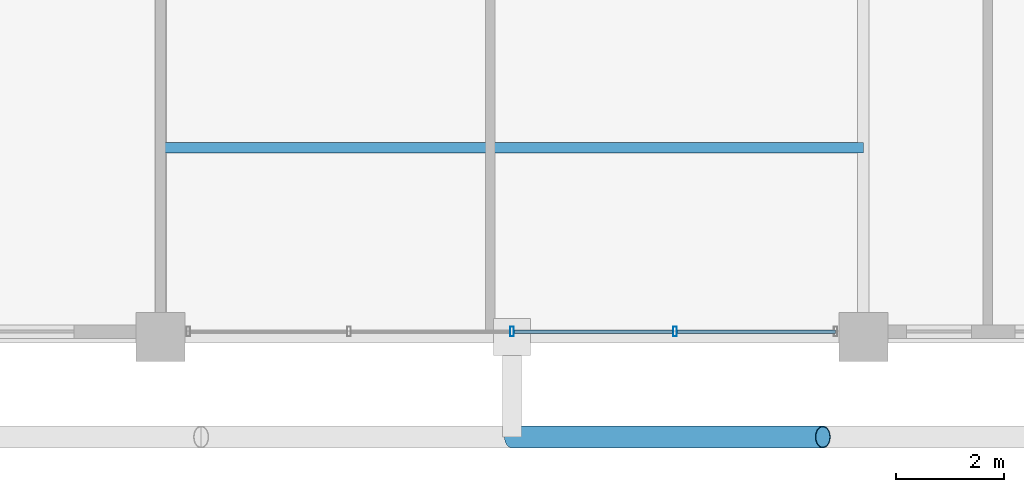
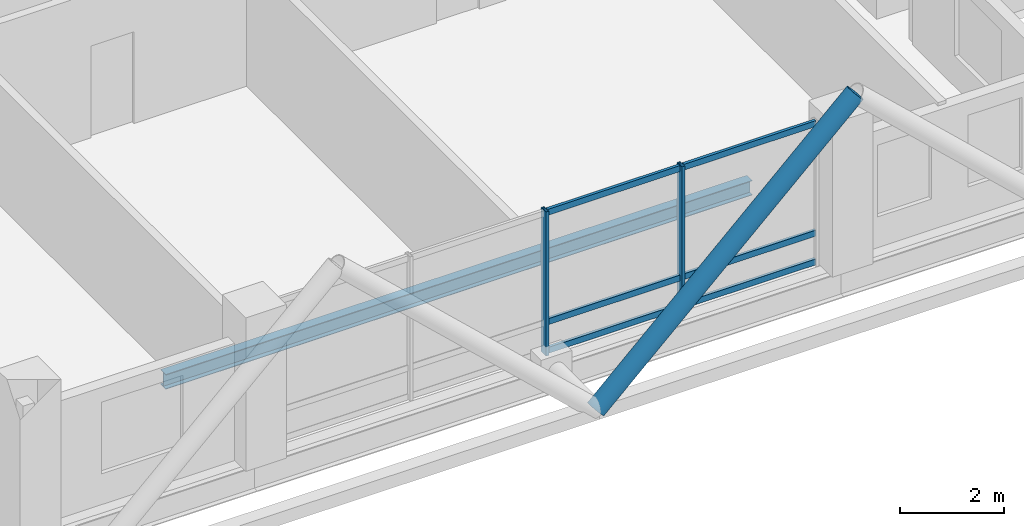
# One storey, part 5 of 24: 9 members, 1 beam, 1 element without a shape of its own.
"""IFC4 building model written with IfcOpenShell, lengths in metres."""

from ifc_helpers import new_model, si_unit, direction, frame, origin, origin_2d, place, context, subcontext, project, spatial, hollow_rectangle, hollow_circle, i_section, extrude, material, layer, layer_set, material_profile, profile_set, type_object, element, aggregate, save


model = new_model("IFC4")

# Units and contexts
model_context = context("Model", 3, precision=1e-05, world=origin(), true_north=direction((0.0, 1.0)))
body_context = subcontext(model_context, "Body", "Model", "MODEL_VIEW")
ifc_project = project(units=[si_unit("LENGTHUNIT", "METRE"), si_unit("AREAUNIT", "SQUARE_METRE"), si_unit("VOLUMEUNIT", "CUBIC_METRE"), si_unit("PLANEANGLEUNIT", "RADIAN"), si_unit("MASSUNIT", "GRAM", prefix="KILO")], contexts=[model_context])

# Site, building, storey
site_placement = place(None, origin())
site = spatial("IfcSite", under=ifc_project, at=site_placement, CompositionType="ELEMENT")
building_placement = place(site_placement, origin())
building = spatial("IfcBuilding", under=site, at=building_placement, Name="Barlavira Tower and Art Museum", CompositionType="ELEMENT")
storey_placement = place(building_placement, frame((0.0, 0.0, 283.5)))
storey = spatial("IfcBuildingStorey", under=building, at=storey_placement, Name="L74", CompositionType="ELEMENT", Elevation=283.5)

# Curtain wall, members
ifc_material_1 = material(Name="Low-iron coastal laminated glass", Category="glass")
ifc_layer = layer(ifc_material_1, 0.2099609375, Name="Low-iron coastal laminated glass")
ifc_layer_set = layer_set([ifc_layer], Name="Low-iron coastal laminated glass")
curtain_wall_type = type_object("IfcCurtainWallType", Name="Pale-Metal Unitised Curtain Wall Zone 4", PredefinedType="NOTDEFINED", material=ifc_layer_set)
curtain_wall_placement = place(storey_placement, origin())
curtain_wall = element("IfcCurtainWall", 1, at=curtain_wall_placement, inside=storey, type_object=curtain_wall_type, Name="L74 Curtain Wall CW4-L74-S-B2", PredefinedType="NOTDEFINED")
ifc_material_2 = material(Name="Pale anodised aluminium", Category="aluminium")
ifc_material_profile_1 = material_profile(ifc_material_2, hollow_rectangle(XDim=0.06494140625, YDim=0.179931640625, WallThickness=0.00390625, at=origin_2d()), Name="ALU-MULL 65x180x4")
ifc_profile_set_1 = profile_set([ifc_material_profile_1], Name="Pale anodised aluminium")
member_type_1 = type_object("IfcMemberType", Name="Curtain Wall Pale-Metal Mullion 65x180", PredefinedType="MULLION", material=ifc_profile_set_1)
member_1_placement = place(storey_placement, frame((0.0, -19.89990234375, 0.0), z_axis=(0.0, 0.0, 1.0), x_axis=(1.0, 0.0, 0.0)))
member_1 = element("IfcMember", 2, at=member_1_placement, type_object=member_type_1, Name="CW4-L74-S-B2 Mullion 2", PredefinedType="MULLION", context=body_context, shape_type="SweptSolid", body=[
    extrude(hollow_rectangle(XDim=0.06494140625, YDim=0.179931640625, WallThickness=0.00390625, at=origin_2d()), origin(), (0.0, 0.0, 1.0), 3.3798828125),
])
member_2_placement = place(storey_placement, frame((3.014892578125, -19.89990234375, 0.0), z_axis=(0.0, 0.0, 1.0), x_axis=(1.0, 0.0, 0.0)))
member_2 = element("IfcMember", 3, at=member_2_placement, type_object=member_type_1, Name="CW4-L74-S-B2 Mullion 3", PredefinedType="MULLION", context=body_context, shape_type="SweptSolid", body=[
    extrude(hollow_rectangle(XDim=0.06494140625, YDim=0.179931640625, WallThickness=0.00390625, at=origin_2d()), origin(), (0.0, 0.0, 1.0), 3.3798828125),
])
ifc_material_profile_2 = material_profile(ifc_material_2, hollow_rectangle(XDim=0.06494140625, YDim=0.139892578125, WallThickness=0.00390625, at=origin_2d()), Name="ALU-TRAN 65x140x4")
ifc_profile_set_2 = profile_set([ifc_material_profile_2], Name="Pale anodised aluminium")
member_type_2 = type_object("IfcMemberType", Name="Curtain Wall Pale-Metal Transom 65x140", PredefinedType="USERDEFINED", material=ifc_profile_set_2)
member_3_placement = place(storey_placement, frame((0.044921875, -19.89990234375, 0.070068359375), z_axis=(1.0, 0.0, 0.0), x_axis=(0.0, 1.0, 0.0)))
member_3 = element("IfcMember", 4, at=member_3_placement, type_object=member_type_2, Name="CW4-L74-S-B2 Transom 2.1", ObjectType="TRANSOM", PredefinedType="USERDEFINED", context=body_context, shape_type="SweptSolid", body=[
    extrude(hollow_rectangle(XDim=0.06494140625, YDim=0.139892578125, WallThickness=0.00390625, at=origin_2d()), origin(), (0.0, 0.0, 1.0), 2.925048828125),
])
member_4_placement = place(storey_placement, frame((0.044921875, -19.89990234375, 0.743896484375), z_axis=(1.0, 0.0, 0.0), x_axis=(0.0, 1.0, 0.0)))
member_4 = element("IfcMember", 5, at=member_4_placement, type_object=member_type_2, Name="CW4-L74-S-B2 Transom 2.2", ObjectType="TRANSOM", PredefinedType="USERDEFINED", context=body_context, shape_type="SweptSolid", body=[
    extrude(hollow_rectangle(XDim=0.06494140625, YDim=0.139892578125, WallThickness=0.00390625, at=origin_2d()), origin(), (0.0, 0.0, 1.0), 2.925048828125),
])
member_5_placement = place(storey_placement, frame((0.044921875, -19.89990234375, 3.31005859375), z_axis=(1.0, 0.0, 0.0), x_axis=(0.0, 1.0, 0.0)))
member_5 = element("IfcMember", 6, at=member_5_placement, type_object=member_type_2, Name="CW4-L74-S-B2 Transom 2.3", ObjectType="TRANSOM", PredefinedType="USERDEFINED", context=body_context, shape_type="SweptSolid", body=[
    extrude(hollow_rectangle(XDim=0.06494140625, YDim=0.139892578125, WallThickness=0.00390625, at=origin_2d()), origin(), (0.0, 0.0, 1.0), 2.925048828125),
])
member_6_placement = place(storey_placement, frame((3.06005859375, -19.89990234375, 0.070068359375), z_axis=(1.0, 0.0, 0.0), x_axis=(0.0, 1.0, 0.0)))
member_6 = element("IfcMember", 7, at=member_6_placement, type_object=member_type_2, Name="CW4-L74-S-B2 Transom 3.1", ObjectType="TRANSOM", PredefinedType="USERDEFINED", context=body_context, shape_type="SweptSolid", body=[
    extrude(hollow_rectangle(XDim=0.06494140625, YDim=0.139892578125, WallThickness=0.00390625, at=origin_2d()), origin(), (0.0, 0.0, 1.0), 2.925048828125),
])
member_7_placement = place(storey_placement, frame((3.06005859375, -19.89990234375, 0.743896484375), z_axis=(1.0, 0.0, 0.0), x_axis=(0.0, 1.0, 0.0)))
member_7 = element("IfcMember", 8, at=member_7_placement, type_object=member_type_2, Name="CW4-L74-S-B2 Transom 3.2", ObjectType="TRANSOM", PredefinedType="USERDEFINED", context=body_context, shape_type="SweptSolid", body=[
    extrude(hollow_rectangle(XDim=0.06494140625, YDim=0.139892578125, WallThickness=0.00390625, at=origin_2d()), origin(), (0.0, 0.0, 1.0), 2.925048828125),
])
member_8_placement = place(storey_placement, frame((3.06005859375, -19.89990234375, 3.31005859375), z_axis=(1.0, 0.0, 0.0), x_axis=(0.0, 1.0, 0.0)))
member_8 = element("IfcMember", 9, at=member_8_placement, type_object=member_type_2, Name="CW4-L74-S-B2 Transom 3.3", ObjectType="TRANSOM", PredefinedType="USERDEFINED", context=body_context, shape_type="SweptSolid", body=[
    extrude(hollow_rectangle(XDim=0.06494140625, YDim=0.139892578125, WallThickness=0.00390625, at=origin_2d()), origin(), (0.0, 0.0, 1.0), 2.925048828125),
])
aggregate(curtain_wall, [member_1, member_2, member_3, member_4, member_5, member_6, member_7, member_8])

# Member
ifc_material_3 = material(Name="Steel S355", Category="steel")
ifc_material_profile_3 = material_profile(ifc_material_3, hollow_circle(Radius=0.203125, WallThickness=0.01611328125, at=origin_2d()), Name="CHS 406.4x16.0")
ifc_profile_set_3 = profile_set([ifc_material_profile_3], Name="Steel S355")
member_type_3 = type_object("IfcMemberType", Name="Pale-Metal Exoskeleton Diagrid Tube CHS 406x16 Steel S355", PredefinedType="BRACE", material=ifc_profile_set_3)
member_9_placement = place(storey_placement, frame((0.0, -21.85009765625, -0.1201171875), z_axis=(0.728934650808, 0.0, 0.684583285548), x_axis=(0.0, 1.0, 0.0)))
element("IfcMember", 10, at=member_9_placement, inside=storey, type_object=member_type_3, Name="L74 Exoskeleton Diagrid Tube S", PredefinedType="BRACE", context=body_context, shape_type="SweptSolid", body=[
    extrude(hollow_circle(Radius=0.203125, WallThickness=0.01611328125, at=origin_2d()), origin(), (0.0, 0.0, 1.0), 7.88818359375),
])

# Beam
ifc_material_profile_4 = material_profile(ifc_material_3, i_section(OverallWidth=0.202880859375, OverallDepth=0.346923828125, WebThickness=0.0078125, FlangeThickness=0.013427734375, at=origin_2d()), Name="W360x64.0")
ifc_profile_set_4 = profile_set([ifc_material_profile_4], Name="Steel S355")
beam_type = type_object("IfcBeamType", Name="Zone 4 Composite Floor Joist W360x64 Steel S355", PredefinedType="JOIST", material=ifc_profile_set_4)
beam_placement = place(storey_placement, frame((-6.5, -16.5, -0.3935546875), z_axis=(1.0, 0.0, 0.0), x_axis=(0.0, 1.0, 0.0)))
element("IfcBeam", 11, at=beam_placement, inside=storey, type_object=beam_type, Name="L74 Joist C1", PredefinedType="JOIST", context=body_context, shape_type="SweptSolid", body=[
    extrude(i_section(OverallWidth=0.202880859375, OverallDepth=0.346923828125, WebThickness=0.0078125, FlangeThickness=0.013427734375, at=origin_2d()), origin(), (0.0, 0.0, 1.0), 13.0),
])

save(model, "model.ifc")
